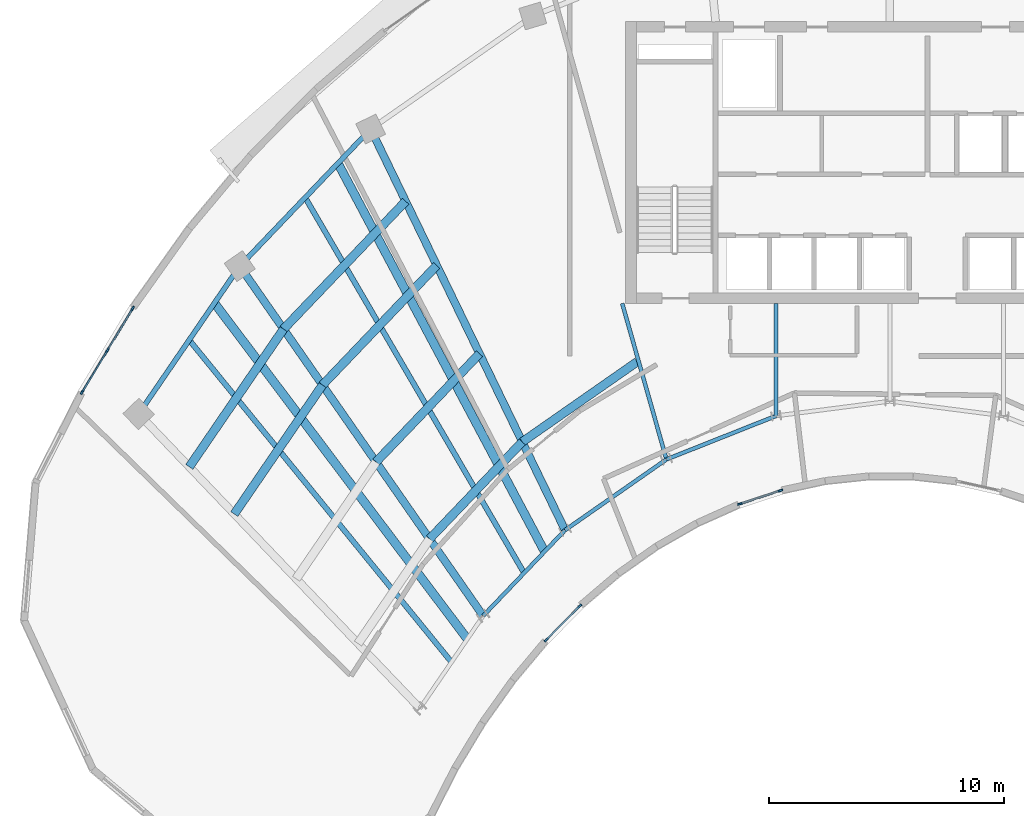
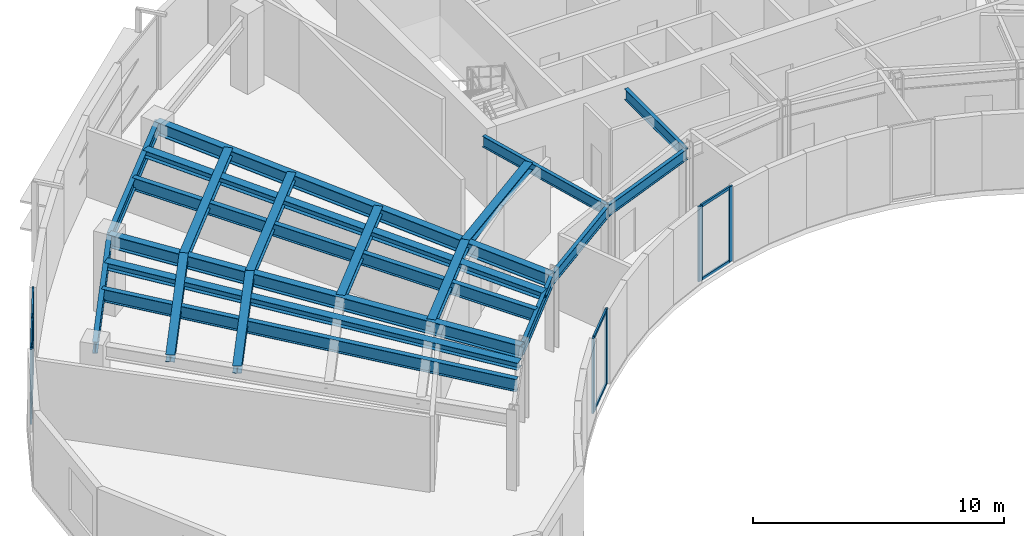
# One storey, part 2 of 12: 20 beams, 17 members, 3 elements without a shape of their own.
"""IFC4 building model written with IfcOpenShell, lengths in metres."""

from ifc_helpers import new_model, si_unit, direction, frame, origin, origin_2d, place, context, subcontext, project, spatial, rectangle, i_section, extrude, source, transform, mapped, material, layer, layer_set, material_profile, profile_set, type_object, type_shapes, element, aggregate, save


model = new_model("IFC4")

# Units and contexts
model_context = context("Model", 3, precision=1e-05, world=origin(), true_north=direction((0.0, 1.0)))
body_context = subcontext(model_context, "Body", "Model", "MODEL_VIEW")
ifc_project = project(units=[si_unit("LENGTHUNIT", "METRE"), si_unit("AREAUNIT", "SQUARE_METRE"), si_unit("VOLUMEUNIT", "CUBIC_METRE"), si_unit("PLANEANGLEUNIT", "RADIAN"), si_unit("MASSUNIT", "GRAM", prefix="KILO")], contexts=[model_context])

# Site, building, storey
site_placement = place(None, origin())
site = spatial("IfcSite", under=ifc_project, at=site_placement, CompositionType="ELEMENT")
building_placement = place(site_placement, origin())
building = spatial("IfcBuilding", under=site, at=building_placement, Name="Breltana Convention Tower", CompositionType="ELEMENT")
storey_placement = place(building_placement, frame((0.0, 0.0, 246.89990234375)))
storey = spatial("IfcBuildingStorey", under=building, at=storey_placement, Name="L60", CompositionType="ELEMENT", Elevation=246.89990234375)

# Beams
ifc_material_1 = material(Name="Steel ASTM A992 Grade 50", Category="steel")
ifc_material_profile_1 = material_profile(ifc_material_1, i_section(OverallWidth=0.166015625, OverallDepth=0.534912109375, WebThickness=0.01025390625, FlangeThickness=0.0166015625, at=origin_2d()), Name="W21X57")
ifc_profile_set_1 = profile_set([ifc_material_profile_1], Name="Steel ASTM A992 Grade 50")
beam_type_1 = type_object("IfcBeamType", Name="BM-BM-W21X57", PredefinedType="BEAM", material=ifc_profile_set_1)
shared_shape_1 = source(origin(), body_context, "Body", "SweptSolid", [
    extrude(i_section(OverallWidth=0.166015625, OverallDepth=0.534912109375, WebThickness=0.01025390625, FlangeThickness=0.0166015625, at=origin_2d()), origin(), (0.0, 0.0, 1.0), 6.904541015625),
])
type_shapes(beam_type_1, [shared_shape_1])
beam_1_placement = place(storey_placement, frame((36.60009765625, 60.199951171875, 3.382568359375), z_axis=(0.273006781054, -0.962012108811, 0.0), x_axis=(0.962012108811, 0.273006781054, 0.0)))
element("IfcBeam", 1, at=beam_1_placement, inside=storey, type_object=beam_type_1, Name="L60 South Core Tie Girder R04", PredefinedType="BEAM", context=body_context, shape_type="MappedRepresentation", body=[
    mapped(shared_shape_1, transform((0.0, 0.0, 0.0), scale=1.0)),
])
shared_shape_2 = source(origin(), body_context, "Body", "SweptSolid", [
    extrude(i_section(OverallWidth=0.166015625, OverallDepth=0.534912109375, WebThickness=0.01025390625, FlangeThickness=0.0166015625, at=origin_2d()), origin(), (0.0, 0.0, 1.0), 4.789306640625),
])
beam_2_placement = place(storey_placement, frame((43.153564453125, 60.199951171875, 3.382568359375), z_axis=(0.0, -1.0, 0.0), x_axis=(1.0, 0.0, 0.0)))
element("IfcBeam", 2, at=beam_2_placement, inside=storey, type_object=beam_type_1, Name="L60 South Core Tie Girder R05", PredefinedType="BEAM", context=body_context, shape_type="MappedRepresentation", body=[
    mapped(shared_shape_2, transform((0.0, 0.0, 0.0), scale=1.0)),
])
shared_shape_3 = source(origin(), body_context, "Body", "SweptSolid", [
    extrude(i_section(OverallWidth=0.166015625, OverallDepth=0.534912109375, WebThickness=0.01025390625, FlangeThickness=0.0166015625, at=origin_2d()), origin(), (0.0, 0.0, 1.0), 5.05126953125),
])
beam_3_placement = place(storey_placement, frame((30.67724609375, 46.892333984375, 3.382568359375), z_axis=(0.690729753845, 0.7231129975, 0.0), x_axis=(-0.7231129975, 0.690729753845, 0.0)))
element("IfcBeam", 3, at=beam_3_placement, inside=storey, type_object=beam_type_1, Name="L60 Inner Ring Beam 02", PredefinedType="BEAM", context=body_context, shape_type="MappedRepresentation", body=[
    mapped(shared_shape_3, transform((0.0, 0.0, 0.0), scale=1.0)),
])
shared_shape_4 = source(origin(), body_context, "Body", "SweptSolid", [
    extrude(i_section(OverallWidth=0.166015625, OverallDepth=0.534912109375, WebThickness=0.01025390625, FlangeThickness=0.0166015625, at=origin_2d()), origin(), (0.0, 0.0, 1.0), 5.265869140625),
])
beam_4_placement = place(storey_placement, frame((34.166259765625, 50.544921875, 3.382568359375), z_axis=(0.820167429517, 0.572123577176, 0.0), x_axis=(-0.572123577176, 0.820167429517, 0.0)))
element("IfcBeam", 4, at=beam_4_placement, inside=storey, type_object=beam_type_1, Name="L60 Inner Ring Beam 03", PredefinedType="BEAM", context=body_context, shape_type="MappedRepresentation", body=[
    mapped(shared_shape_4, transform((0.0, 0.0, 0.0), scale=1.0)),
])
shared_shape_5 = source(origin(), body_context, "Body", "SweptSolid", [
    extrude(i_section(OverallWidth=0.166015625, OverallDepth=0.534912109375, WebThickness=0.01025390625, FlangeThickness=0.0166015625, at=origin_2d()), origin(), (0.0, 0.0, 1.0), 5.022705078125),
])
beam_5_placement = place(storey_placement, frame((38.485107421875, 53.5576171875, 3.382568359375), z_axis=(0.929458966248, 0.368925507469, 0.0), x_axis=(-0.368925507469, 0.929458966248, 0.0)))
element("IfcBeam", 5, at=beam_5_placement, inside=storey, type_object=beam_type_1, Name="L60 Inner Ring Beam 04", PredefinedType="BEAM", context=body_context, shape_type="MappedRepresentation", body=[
    mapped(shared_shape_5, transform((0.0, 0.0, 0.0), scale=1.0)),
])
ifc_material_profile_2 = material_profile(ifc_material_1, i_section(OverallWidth=0.368896484375, OverallDepth=0.35595703125, WebThickness=0.01123046875, FlangeThickness=0.01806640625, at=origin_2d()), Name="W14X90")
ifc_profile_set_2 = profile_set([ifc_material_profile_2], Name="Steel ASTM A992 Grade 50")
beam_type_2 = type_object("IfcBeamType", Name="BM-JSG-09", PredefinedType="JOIST", material=ifc_profile_set_2)
shared_shape_6 = source(origin(), body_context, "Body", "SweptSolid", [
    extrude(i_section(OverallWidth=0.368896484375, OverallDepth=0.35595703125, WebThickness=0.01123046875, FlangeThickness=0.01806640625, at=origin_2d()), origin(), (0.0, 0.0, 1.0), 6.654541015625),
])
beam_6_placement = place(storey_placement, frame((20.0791015625, 51.23095703125, 3.47216796875), z_axis=(0.564482668195, 0.82544492082, 0.0), x_axis=(-0.82544492082, 0.564482668195, 0.0)))
element("IfcBeam", 6, at=beam_6_placement, inside=storey, type_object=beam_type_2, Name="L60 Composite Floor Joist 01.3", PredefinedType="JOIST", context=body_context, shape_type="MappedRepresentation", body=[
    mapped(shared_shape_6, transform((0.0, 0.0, 0.0), scale=1.0)),
])
shared_shape_7 = source(origin(), body_context, "Body", "SweptSolid", [
    extrude(i_section(OverallWidth=0.368896484375, OverallDepth=0.35595703125, WebThickness=0.01123046875, FlangeThickness=0.01806640625, at=origin_2d()), origin(), (0.0, 0.0, 1.0), 7.111328125),
])
beam_7_placement = place(storey_placement, frame((18.162841796875, 53.2373046875, 3.47216796875), z_axis=(0.564446356178, 0.825469751715, 0.0), x_axis=(-0.825469751715, 0.564446356178, 0.0)))
element("IfcBeam", 7, at=beam_7_placement, inside=storey, type_object=beam_type_2, Name="L60 Composite Floor Joist 01.4", PredefinedType="JOIST", context=body_context, shape_type="MappedRepresentation", body=[
    mapped(shared_shape_7, transform((0.0, 0.0, 0.0), scale=1.0)),
])
ifc_material_profile_3 = material_profile(ifc_material_1, i_section(OverallWidth=0.22802734375, OverallDepth=0.60791015625, WebThickness=0.01123046875, FlangeThickness=0.017333984375, at=origin_2d()), Name="W24X76")
ifc_profile_set_3 = profile_set([ifc_material_profile_3], Name="Steel ASTM A992 Grade 50")
beam_type_3 = type_object("IfcBeamType", Name="BM-JSG-02", PredefinedType="JOIST", material=ifc_profile_set_3)
shared_shape_8 = source(origin(), body_context, "Body", "SweptSolid", [
    extrude(i_section(OverallWidth=0.22802734375, OverallDepth=0.60791015625, WebThickness=0.01123046875, FlangeThickness=0.017333984375, at=origin_2d()), origin(), (0.0, 0.0, 1.0), 17.691650390625),
])
type_shapes(beam_type_3, [shared_shape_8])
beam_8_placement = place(storey_placement, frame((29.330810546875, 44.923583984375, 3.34619140625), z_axis=(-0.631476958478, 0.775394642044, 0.0), x_axis=(-0.775394642044, -0.631476958478, 0.0)))
element("IfcBeam", 8, at=beam_8_placement, inside=storey, type_object=beam_type_3, Name="L60 Mid-Bay Radial Trimmer 01", PredefinedType="JOIST", context=body_context, shape_type="MappedRepresentation", body=[
    mapped(shared_shape_8, transform((0.0, 0.0, 0.0), scale=1.0)),
])
shared_shape_9 = source(origin(), body_context, "Body", "SweptSolid", [
    extrude(i_section(OverallWidth=0.368896484375, OverallDepth=0.35595703125, WebThickness=0.01123046875, FlangeThickness=0.01806640625, at=origin_2d()), origin(), (0.0, 0.0, 1.0), 17.9072265625),
])
beam_9_placement = place(storey_placement, frame((30.00390625, 45.907958984375, 3.47216796875), z_axis=(-0.601382105028, 0.798961553363, 0.0), x_axis=(-0.798961553363, -0.601382105028, 0.0)))
element("IfcBeam", 9, at=beam_9_placement, inside=storey, type_object=beam_type_2, Name="L60 Quarter-Bay Radial Trimmer 01", PredefinedType="JOIST", context=body_context, shape_type="MappedRepresentation", body=[
    mapped(shared_shape_9, transform((0.0, 0.0, 0.0), scale=1.0)),
])
shared_shape_10 = source(origin(), body_context, "Body", "SweptSolid", [
    extrude(i_section(OverallWidth=0.368896484375, OverallDepth=0.35595703125, WebThickness=0.01123046875, FlangeThickness=0.01806640625, at=origin_2d()), origin(), (0.0, 0.0, 1.0), 5.716064453125),
])
beam_10_placement = place(storey_placement, frame((28.396484375, 50.169677734375, 3.47216796875), z_axis=(0.690756060045, 0.723087868458, 0.0), x_axis=(-0.723087868458, 0.690756060045, 0.0)))
element("IfcBeam", 10, at=beam_10_placement, inside=storey, type_object=beam_type_2, Name="L60 Composite Floor Joist 02.1", PredefinedType="JOIST", context=body_context, shape_type="MappedRepresentation", body=[
    mapped(shared_shape_10, transform((0.0, 0.0, 0.0), scale=1.0)),
])
shared_shape_11 = source(origin(), body_context, "Body", "SweptSolid", [
    extrude(i_section(OverallWidth=0.368896484375, OverallDepth=0.35595703125, WebThickness=0.01123046875, FlangeThickness=0.01806640625, at=origin_2d()), origin(), (0.0, 0.0, 1.0), 6.381103515625),
])
beam_11_placement = place(storey_placement, frame((26.115966796875, 53.44677734375, 3.47216796875), z_axis=(0.690737768889, 0.723105341309, 0.0), x_axis=(-0.723105341309, 0.690737768889, 0.0)))
element("IfcBeam", 11, at=beam_11_placement, inside=storey, type_object=beam_type_2, Name="L60 Composite Floor Joist 02.2", PredefinedType="JOIST", context=body_context, shape_type="MappedRepresentation", body=[
    mapped(shared_shape_11, transform((0.0, 0.0, 0.0), scale=1.0)),
])
shared_shape_12 = source(origin(), body_context, "Body", "SweptSolid", [
    extrude(i_section(OverallWidth=0.368896484375, OverallDepth=0.35595703125, WebThickness=0.01123046875, FlangeThickness=0.01806640625, at=origin_2d()), origin(), (0.0, 0.0, 1.0), 7.046142578125),
])
beam_12_placement = place(storey_placement, frame((23.83544921875, 56.723876953125, 3.47216796875), z_axis=(0.690722929904, 0.723119515782, 0.0), x_axis=(-0.723119515782, 0.690722929904, 0.0)))
element("IfcBeam", 12, at=beam_12_placement, inside=storey, type_object=beam_type_2, Name="L60 Composite Floor Joist 02.3", PredefinedType="JOIST", context=body_context, shape_type="MappedRepresentation", body=[
    mapped(shared_shape_12, transform((0.0, 0.0, 0.0), scale=1.0)),
])
shared_shape_13 = source(origin(), body_context, "Body", "SweptSolid", [
    extrude(i_section(OverallWidth=0.368896484375, OverallDepth=0.35595703125, WebThickness=0.01123046875, FlangeThickness=0.01806640625, at=origin_2d()), origin(), (0.0, 0.0, 1.0), 7.529541015625),
])
beam_13_placement = place(storey_placement, frame((22.1767578125, 59.107421875, 3.47216796875), z_axis=(0.690725562031, 0.723117001568, 0.0), x_axis=(-0.723117001568, 0.690725562031, 0.0)))
element("IfcBeam", 13, at=beam_13_placement, inside=storey, type_object=beam_type_2, Name="L60 Composite Floor Joist 02.4", PredefinedType="JOIST", context=body_context, shape_type="MappedRepresentation", body=[
    mapped(shared_shape_13, transform((0.0, 0.0, 0.0), scale=1.0)),
])
shared_shape_14 = source(origin(), body_context, "Body", "SweptSolid", [
    extrude(i_section(OverallWidth=0.22802734375, OverallDepth=0.60791015625, WebThickness=0.01123046875, FlangeThickness=0.017333984375, at=origin_2d()), origin(), (0.0, 0.0, 1.0), 18.50830078125),
])
beam_14_placement = place(storey_placement, frame((32.421630859375, 48.71875, 3.34619140625), z_axis=(-0.50368319637, 0.863888440537, 0.0), x_axis=(-0.863888440537, -0.50368319637, 0.0)))
element("IfcBeam", 14, at=beam_14_placement, inside=storey, type_object=beam_type_3, Name="L60 Mid-Bay Radial Trimmer 02", PredefinedType="JOIST", context=body_context, shape_type="MappedRepresentation", body=[
    mapped(shared_shape_14, transform((0.0, 0.0, 0.0), scale=1.0)),
])
shared_shape_15 = source(origin(), body_context, "Body", "SweptSolid", [
    extrude(i_section(OverallWidth=0.368896484375, OverallDepth=0.35595703125, WebThickness=0.01123046875, FlangeThickness=0.01806640625, at=origin_2d()), origin(), (0.0, 0.0, 1.0), 18.731689453125),
])
beam_15_placement = place(storey_placement, frame((33.2939453125, 49.6318359375, 3.47216796875), z_axis=(-0.469820250451, 0.882762104004, 0.0), x_axis=(-0.882762104004, -0.469820250451, 0.0)))
element("IfcBeam", 15, at=beam_15_placement, inside=storey, type_object=beam_type_2, Name="L60 Quarter-Bay Radial Trimmer 02", PredefinedType="JOIST", context=body_context, shape_type="MappedRepresentation", body=[
    mapped(shared_shape_15, transform((0.0, 0.0, 0.0), scale=1.0)),
])
shared_shape_16 = source(origin(), body_context, "Body", "SweptSolid", [
    extrude(i_section(OverallWidth=0.368896484375, OverallDepth=0.35595703125, WebThickness=0.01123046875, FlangeThickness=0.01806640625, at=origin_2d()), origin(), (0.0, 0.0, 1.0), 5.959228515625),
])
beam_16_placement = place(storey_placement, frame((32.344970703125, 54.302978515625, 3.47216796875), z_axis=(0.820160485262, 0.572133531979, 0.0), x_axis=(-0.572133531979, 0.820160485262, 0.0)))
element("IfcBeam", 16, at=beam_16_placement, inside=storey, type_object=beam_type_2, Name="L60 Composite Floor Joist 03.1", PredefinedType="JOIST", context=body_context, shape_type="MappedRepresentation", body=[
    mapped(shared_shape_16, transform((0.0, 0.0, 0.0), scale=1.0)),
])
ifc_material_profile_4 = material_profile(ifc_material_1, i_section(OverallWidth=0.326904296875, OverallDepth=0.6220703125, WebThickness=0.015380859375, FlangeThickness=0.0244140625, at=origin_2d()), Name="W24X131")
ifc_profile_set_4 = profile_set([ifc_material_profile_4], Name="Steel ASTM A992 Grade 50")
beam_type_4 = type_object("IfcBeamType", Name="BM-RG-W24X131", PredefinedType="USERDEFINED", material=ifc_profile_set_4)
shared_shape_17 = source(origin(), body_context, "Body", "SweptSolid", [
    extrude(i_section(OverallWidth=0.326904296875, OverallDepth=0.6220703125, WebThickness=0.015380859375, FlangeThickness=0.0244140625, at=origin_2d()), origin(), (0.0, 0.0, 1.0), 18.1484375),
])
beam_17_placement = place(storey_placement, frame((30.67724609375, 46.892333984375, 3.339111328125), z_axis=(-0.571207556098, 0.820805657788, 0.0), x_axis=(-0.820805657788, -0.571207556098, 0.0)))
element("IfcBeam", 17, at=beam_17_placement, inside=storey, type_object=beam_type_4, Name="L60 Radial Floor Girder R02", ObjectType="GIRDER", PredefinedType="USERDEFINED", context=body_context, shape_type="MappedRepresentation", body=[
    mapped(shared_shape_17, transform((0.0, 0.0, 0.0), scale=1.0)),
])
shared_shape_18 = source(origin(), body_context, "Body", "SweptSolid", [
    extrude(i_section(OverallWidth=0.326904296875, OverallDepth=0.6220703125, WebThickness=0.015380859375, FlangeThickness=0.0244140625, at=origin_2d()), origin(), (0.0, 0.0, 1.0), 18.982421875),
])
beam_18_placement = place(storey_placement, frame((34.166259765625, 50.544921875, 3.339111328125), z_axis=(-0.436118560343, 0.89988921614, 0.0), x_axis=(-0.89988921614, -0.436118560343, 0.0)))
element("IfcBeam", 18, at=beam_18_placement, inside=storey, type_object=beam_type_4, Name="L60 Radial Floor Girder R03", ObjectType="GIRDER", PredefinedType="USERDEFINED", context=body_context, shape_type="MappedRepresentation", body=[
    mapped(shared_shape_18, transform((0.0, 0.0, 0.0), scale=1.0)),
])
ifc_material_profile_5 = material_profile(ifc_material_1, i_section(OverallWidth=0.214111328125, OverallDepth=0.549072265625, WebThickness=0.0146484375, FlangeThickness=0.023681640625, at=origin_2d()), Name="W21X93")
ifc_profile_set_5 = profile_set([ifc_material_profile_5], Name="Steel ASTM A992 Grade 50")
beam_type_5 = type_object("IfcBeamType", Name="BM-SP-W21X93", PredefinedType="SPANDREL", material=ifc_profile_set_5)
shared_shape_19 = source(origin(), body_context, "Body", "SweptSolid", [
    extrude(i_section(OverallWidth=0.214111328125, OverallDepth=0.549072265625, WebThickness=0.0146484375, FlangeThickness=0.023681640625, at=origin_2d()), origin(), (0.0, 0.0, 1.0), 7.625),
])
type_shapes(beam_type_5, [shared_shape_19])
beam_19_placement = place(storey_placement, frame((16.0068359375, 55.494384765625, 3.37548828125), z_axis=(0.564452031902, 0.825465870694, 0.0), x_axis=(-0.825465870694, 0.564452031902, 0.0)))
element("IfcBeam", 19, at=beam_19_placement, inside=storey, type_object=beam_type_5, Name="L60 Outer Spandrel Beam 01", PredefinedType="SPANDREL", context=body_context, shape_type="MappedRepresentation", body=[
    mapped(shared_shape_19, transform((0.0, 0.0, 0.0), scale=1.0)),
])
shared_shape_20 = source(origin(), body_context, "Body", "SweptSolid", [
    extrude(i_section(OverallWidth=0.214111328125, OverallDepth=0.549072265625, WebThickness=0.0146484375, FlangeThickness=0.023681640625, at=origin_2d()), origin(), (0.0, 0.0, 1.0), 8.073974609375),
])
beam_20_placement = place(storey_placement, frame((20.310791015625, 61.78857421875, 3.37548828125), z_axis=(0.69072885448, 0.723113856588, 0.0), x_axis=(-0.723113856588, 0.69072885448, 0.0)))
element("IfcBeam", 20, at=beam_20_placement, inside=storey, type_object=beam_type_5, Name="L60 Outer Spandrel Beam 02", PredefinedType="SPANDREL", context=body_context, shape_type="MappedRepresentation", body=[
    mapped(shared_shape_20, transform((0.0, 0.0, 0.0), scale=1.0)),
])

# Curtain wall, members
ifc_material_2 = material(Name="Aluminium Anodised Bronze Frame", Category="aluminium")
ifc_layer_1 = layer(ifc_material_2, 0.18994140625, Name="Aluminium Anodised Bronze Frame")
ifc_layer_set_1 = layer_set([ifc_layer_1], Name="Aluminium Anodised Bronze Frame")
curtain_wall_type_1 = type_object("IfcCurtainWallType", Name="CW-SYS-1", PredefinedType="NOTDEFINED", material=ifc_layer_set_1)
curtain_wall_1_placement = place(storey_placement, origin())
curtain_wall_1 = element("IfcCurtainWall", 21, at=curtain_wall_1_placement, inside=storey, type_object=curtain_wall_type_1, Name="L60 inner south-court glazing 4", PredefinedType="NOTDEFINED")
ifc_material_3 = material(Name="Aluminium Anodised Bronze", Category="aluminium")
ifc_material_profile_6 = material_profile(ifc_material_3, rectangle(XDim=0.080078125, YDim=0.199951171875, at=origin_2d()), Name="CWM-80X200")
ifc_profile_set_6 = profile_set([ifc_material_profile_6], Name="Aluminium Anodised Bronze")
member_type_1 = type_object("IfcMemberType", Name="CWM-200", PredefinedType="MULLION", material=ifc_profile_set_6)
shared_shape_21 = source(origin(), body_context, "Body", "SweptSolid", [
    extrude(rectangle(XDim=0.080078125, YDim=0.199951171875, at=origin_2d()), origin(), (0.0, 0.0, 1.0), 3.650146484375),
])
member_1_placement = place(storey_placement, frame((43.340087890625, 52.228271484375, 0.0), z_axis=(0.0, 0.0, 1.0), x_axis=(0.313194220432, -0.949689096646, 0.0)))
member_1 = element("IfcMember", 22, at=member_1_placement, type_object=member_type_1, Name="CW-01 mullion 1", PredefinedType="MULLION", context=body_context, shape_type="MappedRepresentation", body=[
    mapped(shared_shape_21, transform((0.0, 0.0, 0.0), scale=1.0)),
])
member_2_placement = place(storey_placement, frame((41.61181640625, 51.658447265625, 0.0), z_axis=(0.0, 0.0, 1.0), x_axis=(0.313194220432, -0.949689096646, 0.0)))
member_2 = element("IfcMember", 23, at=member_2_placement, type_object=member_type_1, Name="CW-01 mullion 2", PredefinedType="MULLION", context=body_context, shape_type="MappedRepresentation", body=[
    mapped(shared_shape_21, transform((0.0, 0.0, 0.0), scale=1.0)),
])

curtain_wall_2_placement = place(storey_placement, origin())
curtain_wall_2 = element("IfcCurtainWall", 24, at=curtain_wall_2_placement, inside=storey, type_object=curtain_wall_type_1, Name="L60 inner south-court glazing 5", PredefinedType="NOTDEFINED")
member_3_placement = place(storey_placement, frame((34.790771484375, 47.31103515625, 0.0), z_axis=(0.0, 0.0, 1.0), x_axis=(0.711501409156, -0.702684669513, 0.0)))
member_3 = element("IfcMember", 25, at=member_3_placement, type_object=member_type_1, Name="CW-01 mullion 1", PredefinedType="MULLION", context=body_context, shape_type="MappedRepresentation", body=[
    mapped(shared_shape_21, transform((0.0, 0.0, 0.0), scale=1.0)),
])
member_4_placement = place(storey_placement, frame((33.36474609375, 45.866943359375, 0.0), z_axis=(0.0, 0.0, 1.0), x_axis=(0.711501409156, -0.702684669513, 0.0)))
member_4 = element("IfcMember", 26, at=member_4_placement, type_object=member_type_1, Name="CW-01 mullion 2", PredefinedType="MULLION", context=body_context, shape_type="MappedRepresentation", body=[
    mapped(shared_shape_21, transform((0.0, 0.0, 0.0), scale=1.0)),
])

ifc_layer_2 = layer(ifc_material_2, 0.219970703125, Name="Aluminium Anodised Bronze Frame")
ifc_layer_set_2 = layer_set([ifc_layer_2], Name="Aluminium Anodised Bronze Frame")
curtain_wall_type_2 = type_object("IfcCurtainWallType", Name="CW-SYS-4", PredefinedType="NOTDEFINED", material=ifc_layer_set_2)
curtain_wall_3_placement = place(storey_placement, origin())
curtain_wall_3 = element("IfcCurtainWall", 27, at=curtain_wall_3_placement, inside=storey, type_object=curtain_wall_type_2, Name="L60 outer double-skin inner glazing 1", PredefinedType="NOTDEFINED")
member_5_placement = place(storey_placement, frame((13.59912109375, 56.421630859375, 0.0), z_axis=(0.0, 0.0, 1.0), x_axis=(-0.856060706117, 0.516875291963, 0.0)))
member_5 = element("IfcMember", 28, at=member_5_placement, type_object=member_type_1, Name="CW-04 mullion 1", PredefinedType="MULLION", context=body_context, shape_type="MappedRepresentation", body=[
    mapped(shared_shape_21, transform((0.0, 0.0, 0.0), scale=1.0)),
])
member_6_placement = place(storey_placement, frame((14.6748046875, 58.203125, 0.0), z_axis=(0.0, 0.0, 1.0), x_axis=(-0.856060706117, 0.516875291963, 0.0)))
member_6 = element("IfcMember", 29, at=member_6_placement, type_object=member_type_1, Name="CW-04 mullion 2", PredefinedType="MULLION", context=body_context, shape_type="MappedRepresentation", body=[
    mapped(shared_shape_21, transform((0.0, 0.0, 0.0), scale=1.0)),
])
member_7_placement = place(storey_placement, frame((15.75048828125, 59.984619140625, 0.0), z_axis=(0.0, 0.0, 1.0), x_axis=(-0.856060706117, 0.516875291963, 0.0)))
member_7 = element("IfcMember", 30, at=member_7_placement, type_object=member_type_1, Name="CW-04 mullion 3", PredefinedType="MULLION", context=body_context, shape_type="MappedRepresentation", body=[
    mapped(shared_shape_21, transform((0.0, 0.0, 0.0), scale=1.0)),
])
ifc_material_profile_7 = material_profile(ifc_material_3, rectangle(XDim=0.070068359375, YDim=0.1201171875, at=origin_2d()), Name="CWT-70X120")
ifc_profile_set_7 = profile_set([ifc_material_profile_7], Name="Aluminium Anodised Bronze")
member_type_2 = type_object("IfcMemberType", Name="CWT-120", PredefinedType="USERDEFINED", material=ifc_profile_set_7)
shared_shape_22 = source(origin(), body_context, "Body", "SweptSolid", [
    extrude(rectangle(XDim=0.070068359375, YDim=0.1201171875, at=origin_2d()), origin(), (0.0, 0.0, 1.0), 2.001220703125),
])
member_8_placement = place(storey_placement, frame((13.61962890625, 56.455810546875, 0.03515625), z_axis=(0.516897775642, 0.856047130441, 0.0), x_axis=(-0.856047130441, 0.516897775642, 0.0)))
member_8 = element("IfcMember", 31, at=member_8_placement, type_object=member_type_2, Name="CW-04 transom 1.1", ObjectType="TRANSOM", PredefinedType="USERDEFINED", context=body_context, shape_type="MappedRepresentation", body=[
    mapped(shared_shape_22, transform((0.0, 0.0, 0.0), scale=1.0)),
])
member_9_placement = place(storey_placement, frame((13.61962890625, 56.455810546875, 2.37255859375), z_axis=(0.516897775642, 0.856047130441, 0.0), x_axis=(-0.856047130441, 0.516897775642, 0.0)))
member_9 = element("IfcMember", 32, at=member_9_placement, type_object=member_type_2, Name="CW-04 transom 1.2", ObjectType="TRANSOM", PredefinedType="USERDEFINED", context=body_context, shape_type="MappedRepresentation", body=[
    mapped(shared_shape_22, transform((0.0, 0.0, 0.0), scale=1.0)),
])
member_10_placement = place(storey_placement, frame((13.61962890625, 56.455810546875, 3.614990234375), z_axis=(0.516897775642, 0.856047130441, 0.0), x_axis=(-0.856047130441, 0.516897775642, 0.0)))
member_10 = element("IfcMember", 33, at=member_10_placement, type_object=member_type_2, Name="CW-04 transom 1.3", ObjectType="TRANSOM", PredefinedType="USERDEFINED", context=body_context, shape_type="MappedRepresentation", body=[
    mapped(shared_shape_22, transform((0.0, 0.0, 0.0), scale=1.0)),
])
member_11_placement = place(storey_placement, frame((14.6953125, 58.2373046875, 0.03515625), z_axis=(0.516897775642, 0.856047130441, 0.0), x_axis=(-0.856047130441, 0.516897775642, 0.0)))
member_11 = element("IfcMember", 34, at=member_11_placement, type_object=member_type_2, Name="CW-04 transom 2.1", ObjectType="TRANSOM", PredefinedType="USERDEFINED", context=body_context, shape_type="MappedRepresentation", body=[
    mapped(shared_shape_22, transform((0.0, 0.0, 0.0), scale=1.0)),
])
member_12_placement = place(storey_placement, frame((14.6953125, 58.2373046875, 2.37255859375), z_axis=(0.516897775642, 0.856047130441, 0.0), x_axis=(-0.856047130441, 0.516897775642, 0.0)))
member_12 = element("IfcMember", 35, at=member_12_placement, type_object=member_type_2, Name="CW-04 transom 2.2", ObjectType="TRANSOM", PredefinedType="USERDEFINED", context=body_context, shape_type="MappedRepresentation", body=[
    mapped(shared_shape_22, transform((0.0, 0.0, 0.0), scale=1.0)),
])
member_13_placement = place(storey_placement, frame((14.6953125, 58.2373046875, 3.614990234375), z_axis=(0.516897775642, 0.856047130441, 0.0), x_axis=(-0.856047130441, 0.516897775642, 0.0)))
member_13 = element("IfcMember", 36, at=member_13_placement, type_object=member_type_2, Name="CW-04 transom 2.3", ObjectType="TRANSOM", PredefinedType="USERDEFINED", context=body_context, shape_type="MappedRepresentation", body=[
    mapped(shared_shape_22, transform((0.0, 0.0, 0.0), scale=1.0)),
])
aggregate(curtain_wall_3, [member_5, member_6, member_7, member_8, member_9, member_10, member_11, member_12, member_13])

# Member
ifc_material_profile_8 = material_profile(ifc_material_3, rectangle(XDim=0.080078125, YDim=0.139892578125, at=origin_2d()), Name="CWT-80X140")
ifc_profile_set_8 = profile_set([ifc_material_profile_8], Name="Aluminium Anodised Bronze")
member_type_3 = type_object("IfcMemberType", Name="CWT-140", PredefinedType="USERDEFINED", material=ifc_profile_set_8)
shared_shape_23 = source(origin(), body_context, "Body", "SweptSolid", [
    extrude(rectangle(XDim=0.080078125, YDim=0.139892578125, at=origin_2d()), origin(), (0.0, 0.0, 1.0), 1.739990234375),
])
member_14_placement = place(storey_placement, frame((43.30224609375, 52.2158203125, 0.0400390625), z_axis=(-0.94968876353, -0.313195230526, 0.0), x_axis=(0.313195230526, -0.94968876353, 0.0)))
member_14 = element("IfcMember", 37, at=member_14_placement, type_object=member_type_3, Name="CW-01 transom 1.1", ObjectType="TRANSOM", PredefinedType="USERDEFINED", context=body_context, shape_type="MappedRepresentation", body=[
    mapped(shared_shape_23, transform((0.0, 0.0, 0.0), scale=1.0)),
])

member_15_placement = place(storey_placement, frame((43.30224609375, 52.2158203125, 3.610107421875), z_axis=(-0.94968876353, -0.313195230526, 0.0), x_axis=(0.313195230526, -0.94968876353, 0.0)))
member_15 = element("IfcMember", 38, at=member_15_placement, type_object=member_type_3, Name="CW-01 transom 1.2", ObjectType="TRANSOM", PredefinedType="USERDEFINED", context=body_context, shape_type="MappedRepresentation", body=[
    mapped(shared_shape_23, transform((0.0, 0.0, 0.0), scale=1.0)),
])

aggregate(curtain_wall_1, [member_1, member_2, member_14, member_15])

shared_shape_24 = source(origin(), body_context, "Body", "SweptSolid", [
    extrude(rectangle(XDim=0.080078125, YDim=0.139892578125, at=origin_2d()), origin(), (0.0, 0.0, 1.0), 1.94970703125),
])
member_16_placement = place(storey_placement, frame((34.7626953125, 47.28271484375, 0.0400390625), z_axis=(-0.702647257171, -0.711538355952, 0.0), x_axis=(0.711538355952, -0.702647257171, 0.0)))
member_16 = element("IfcMember", 39, at=member_16_placement, type_object=member_type_3, Name="CW-01 transom 1.1", ObjectType="TRANSOM", PredefinedType="USERDEFINED", context=body_context, shape_type="MappedRepresentation", body=[
    mapped(shared_shape_24, transform((0.0, 0.0, 0.0), scale=1.0)),
])

member_17_placement = place(storey_placement, frame((34.7626953125, 47.28271484375, 3.610107421875), z_axis=(-0.702647257171, -0.711538355952, 0.0), x_axis=(0.711538355952, -0.702647257171, 0.0)))
member_17 = element("IfcMember", 40, at=member_17_placement, type_object=member_type_3, Name="CW-01 transom 1.2", ObjectType="TRANSOM", PredefinedType="USERDEFINED", context=body_context, shape_type="MappedRepresentation", body=[
    mapped(shared_shape_24, transform((0.0, 0.0, 0.0), scale=1.0)),
])

aggregate(curtain_wall_2, [member_3, member_4, member_16, member_17])

save(model, "model.ifc")
